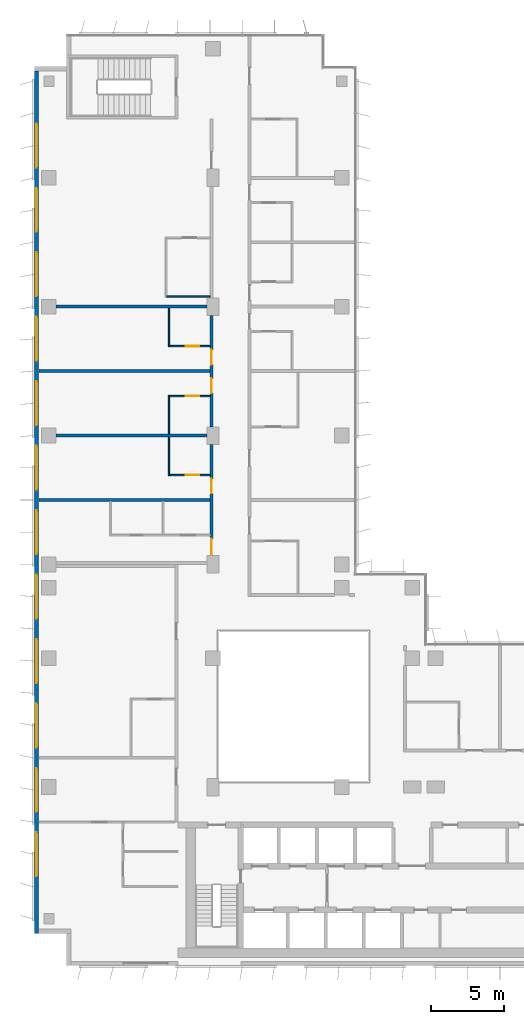
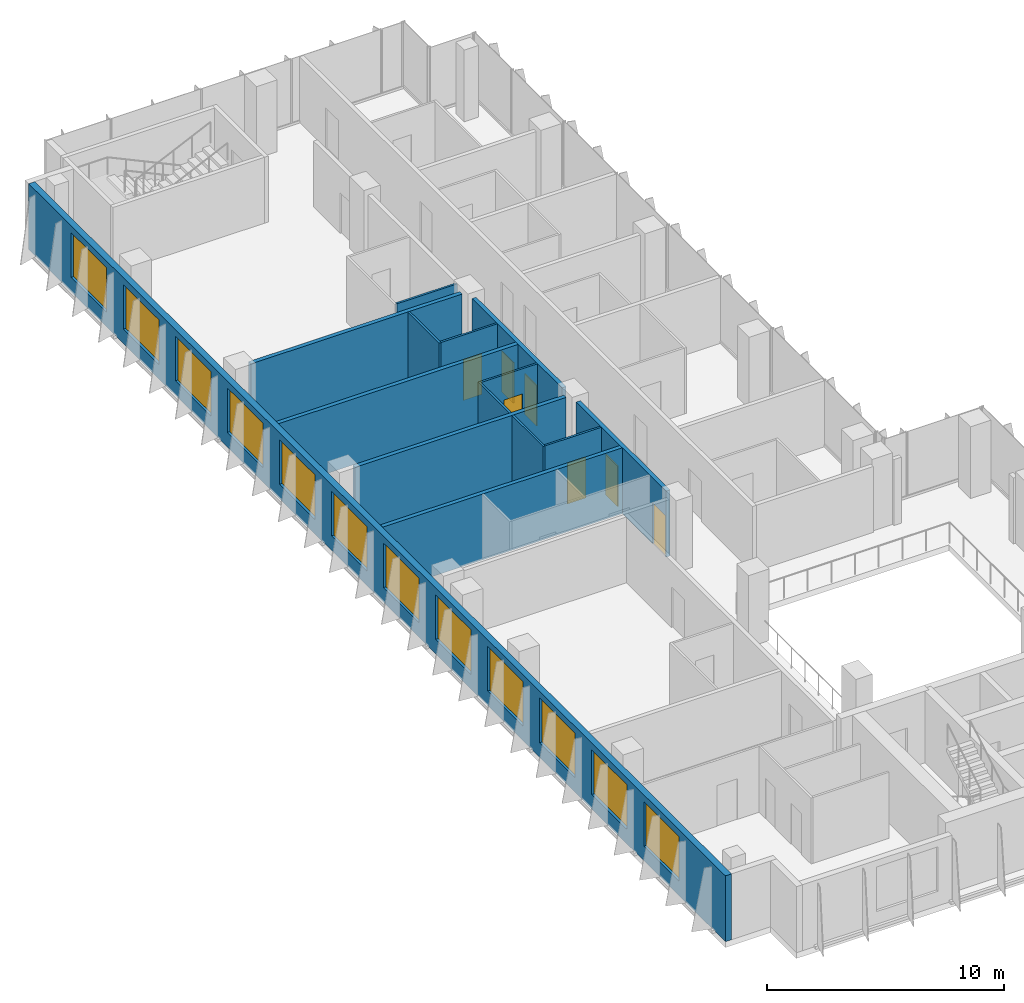
# One storey, part 16 of 21: 14 walls, 12 windows, 7 doors, 19 openings.
"""IFC4 building model written with IfcOpenShell, lengths in metres."""

from ifc_helpers import new_model, si_unit, direction, frame, frame_2d, origin, place, context, subcontext, project, spatial, rectangle, extrude, material, layer, layer_set, type_object, element, fill, save


model = new_model("IFC4")

# Units and contexts
model_context = context("Model", 3, precision=1e-05, world=origin(), true_north=direction((0.0, 1.0)))
body_context = subcontext(model_context, "Body", "Model", "MODEL_VIEW")
ifc_project = project(units=[si_unit("LENGTHUNIT", "METRE"), si_unit("AREAUNIT", "SQUARE_METRE"), si_unit("VOLUMEUNIT", "CUBIC_METRE"), si_unit("PLANEANGLEUNIT", "RADIAN"), si_unit("MASSUNIT", "GRAM", prefix="KILO")], contexts=[model_context])

# Site, building, storey
site_placement = place(None, origin())
site = spatial("IfcSite", under=ifc_project, at=site_placement, CompositionType="ELEMENT")
building_placement = place(site_placement, origin())
building = spatial("IfcBuilding", under=site, at=building_placement, Name="Kemantara Hotel Tower", CompositionType="ELEMENT")
storey_placement = place(building_placement, frame((0.0, 0.0, 160.5)))
storey = spatial("IfcBuildingStorey", under=building, at=storey_placement, Name="L39", CompositionType="ELEMENT", Elevation=160.5)

# Wall, openings, windows
ifc_material_1 = material(Name="Bronze anodised aluminium cladding on insulated steel stud wall", Category="steel")
ifc_layer_1 = layer(ifc_material_1, 0.300048828125)
ifc_layer_set_1 = layer_set([ifc_layer_1], Name="Bronze anodised aluminium cladding on insulated steel stud wall")
wall_type_1 = type_object("IfcWallType", Name="BRONZE METAL-CLAD EXTERNAL WALL 300", PredefinedType="STANDARD", material=ifc_layer_set_1)
wall_1_placement = place(storey_placement, frame((0.14990234375, 61.10009765625, 0.0), z_axis=(0.0, 0.0, 1.0), x_axis=(0.0, -1.0, 0.0)))
wall_1 = element("IfcWall", 1, at=wall_1_placement, inside=storey, type_object=wall_type_1, Name="EXTERNAL WALL L39 T3-R05", PredefinedType="STANDARD", context=body_context, shape_type="SweptSolid", body=[
    extrude(rectangle(XDim=58.900146484375, YDim=0.300048828125, at=frame_2d((29.4501953125, 0.0))), origin(), (0.0, 0.0, 1.0), 3.39990234375),
])
opening_1_placement = place(wall_1_placement, frame((3.60009765625, 0.0, 0.75)))
opening_1 = element("IfcOpeningElement", 2, at=opening_1_placement, cuts=wall_1, Name="Opening W1", PredefinedType="OPENING", context=body_context, shape_type="SweptSolid", body=[
    extrude(rectangle(XDim=3.0, YDim=2.300048828125, at=frame_2d((1.5, 1.14990234375))), frame((0.0, 0.159912109375, 0.0), z_axis=(0.0, -1.0, 0.0), x_axis=(1.0, 0.0, 0.0)), (0.0, 0.0, 1.0), 0.320068359375),
])
opening_2_placement = place(wall_1_placement, frame((8.0, 0.0, 0.75)))
opening_2 = element("IfcOpeningElement", 3, at=opening_2_placement, cuts=wall_1, Name="Opening W1", PredefinedType="OPENING", context=body_context, shape_type="SweptSolid", body=[
    extrude(rectangle(XDim=3.0, YDim=2.300048828125, at=frame_2d((1.5, 1.14990234375))), frame((0.0, 0.159912109375, 0.0), z_axis=(0.0, -1.0, 0.0), x_axis=(1.0, 0.0, 0.0)), (0.0, 0.0, 1.0), 0.320068359375),
])
opening_3_placement = place(wall_1_placement, frame((12.39990234375, 0.0, 0.75)))
opening_3 = element("IfcOpeningElement", 4, at=opening_3_placement, cuts=wall_1, Name="Opening W1", PredefinedType="OPENING", context=body_context, shape_type="SweptSolid", body=[
    extrude(rectangle(XDim=3.0, YDim=2.300048828125, at=frame_2d((1.5, 1.14990234375))), frame((0.0, 0.159912109375, 0.0), z_axis=(0.0, -1.0, 0.0), x_axis=(1.0, 0.0, 0.0)), (0.0, 0.0, 1.0), 0.320068359375),
])
opening_4_placement = place(wall_1_placement, frame((16.800048828125, 0.0, 0.75)))
opening_4 = element("IfcOpeningElement", 5, at=opening_4_placement, cuts=wall_1, Name="Opening W1", PredefinedType="OPENING", context=body_context, shape_type="SweptSolid", body=[
    extrude(rectangle(XDim=3.0, YDim=2.300048828125, at=frame_2d((1.5, 1.14990234375))), frame((0.0, 0.159912109375, 0.0), z_axis=(0.0, -1.0, 0.0), x_axis=(1.0, 0.0, 0.0)), (0.0, 0.0, 1.0), 0.320068359375),
])
opening_5_placement = place(wall_1_placement, frame((21.199951171875, 0.0, 0.75)))
opening_5 = element("IfcOpeningElement", 6, at=opening_5_placement, cuts=wall_1, Name="Opening W1", PredefinedType="OPENING", context=body_context, shape_type="SweptSolid", body=[
    extrude(rectangle(XDim=3.0, YDim=2.300048828125, at=frame_2d((1.5, 1.14990234375))), frame((0.0, 0.159912109375, 0.0), z_axis=(0.0, -1.0, 0.0), x_axis=(1.0, 0.0, 0.0)), (0.0, 0.0, 1.0), 0.320068359375),
])
opening_6_placement = place(wall_1_placement, frame((25.60009765625, 0.0, 0.75)))
opening_6 = element("IfcOpeningElement", 7, at=opening_6_placement, cuts=wall_1, Name="Opening W1", PredefinedType="OPENING", context=body_context, shape_type="SweptSolid", body=[
    extrude(rectangle(XDim=3.0, YDim=2.300048828125, at=frame_2d((1.5, 1.14990234375))), frame((0.0, 0.159912109375, 0.0), z_axis=(0.0, -1.0, 0.0), x_axis=(1.0, 0.0, 0.0)), (0.0, 0.0, 1.0), 0.320068359375),
])
opening_7_placement = place(wall_1_placement, frame((30.0, 0.0, 0.75)))
opening_7 = element("IfcOpeningElement", 8, at=opening_7_placement, cuts=wall_1, Name="Opening W1", PredefinedType="OPENING", context=body_context, shape_type="SweptSolid", body=[
    extrude(rectangle(XDim=3.0, YDim=2.300048828125, at=frame_2d((1.5, 1.14990234375))), frame((0.0, 0.159912109375, 0.0), z_axis=(0.0, -1.0, 0.0), x_axis=(1.0, 0.0, 0.0)), (0.0, 0.0, 1.0), 0.320068359375),
])
opening_8_placement = place(wall_1_placement, frame((34.39990234375, 0.0, 0.75)))
opening_8 = element("IfcOpeningElement", 9, at=opening_8_placement, cuts=wall_1, Name="Opening W1", PredefinedType="OPENING", context=body_context, shape_type="SweptSolid", body=[
    extrude(rectangle(XDim=3.0, YDim=2.300048828125, at=frame_2d((1.5, 1.14990234375))), frame((0.0, 0.159912109375, 0.0), z_axis=(0.0, -1.0, 0.0), x_axis=(1.0, 0.0, 0.0)), (0.0, 0.0, 1.0), 0.320068359375),
])
opening_9_placement = place(wall_1_placement, frame((38.800048828125, 0.0, 0.75)))
opening_9 = element("IfcOpeningElement", 10, at=opening_9_placement, cuts=wall_1, Name="Opening W1", PredefinedType="OPENING", context=body_context, shape_type="SweptSolid", body=[
    extrude(rectangle(XDim=3.0, YDim=2.300048828125, at=frame_2d((1.5, 1.14990234375))), frame((0.0, 0.159912109375, 0.0), z_axis=(0.0, -1.0, 0.0), x_axis=(1.0, 0.0, 0.0)), (0.0, 0.0, 1.0), 0.320068359375),
])
opening_10_placement = place(wall_1_placement, frame((43.199951171875, 0.0, 0.75)))
opening_10 = element("IfcOpeningElement", 11, at=opening_10_placement, cuts=wall_1, Name="Opening W1", PredefinedType="OPENING", context=body_context, shape_type="SweptSolid", body=[
    extrude(rectangle(XDim=3.0, YDim=2.300048828125, at=frame_2d((1.5, 1.14990234375))), frame((0.0, 0.159912109375, 0.0), z_axis=(0.0, -1.0, 0.0), x_axis=(1.0, 0.0, 0.0)), (0.0, 0.0, 1.0), 0.320068359375),
])
opening_11_placement = place(wall_1_placement, frame((47.60009765625, 0.0, 0.75)))
opening_11 = element("IfcOpeningElement", 12, at=opening_11_placement, cuts=wall_1, Name="Opening W1", PredefinedType="OPENING", context=body_context, shape_type="SweptSolid", body=[
    extrude(rectangle(XDim=3.0, YDim=2.300048828125, at=frame_2d((1.5, 1.14990234375))), frame((0.0, 0.159912109375, 0.0), z_axis=(0.0, -1.0, 0.0), x_axis=(1.0, 0.0, 0.0)), (0.0, 0.0, 1.0), 0.320068359375),
])
opening_12_placement = place(wall_1_placement, frame((52.0, 0.0, 0.75)))
opening_12 = element("IfcOpeningElement", 13, at=opening_12_placement, cuts=wall_1, Name="Opening W1", PredefinedType="OPENING", context=body_context, shape_type="SweptSolid", body=[
    extrude(rectangle(XDim=3.0, YDim=2.300048828125, at=frame_2d((1.5, 1.14990234375))), frame((0.0, 0.159912109375, 0.0), z_axis=(0.0, -1.0, 0.0), x_axis=(1.0, 0.0, 0.0)), (0.0, 0.0, 1.0), 0.320068359375),
])
ifc_material_2 = material(Name="Low-E tinted double insulated glass in bronze anodised aluminium frame", Category="aluminium")
window_type = type_object("IfcWindowType", Name="CHICAGO WINDOW, TRIPLE PANEL 3000x2300", PartitioningType="TRIPLE_PANEL_VERTICAL", PredefinedType="WINDOW", material=ifc_material_2)
window_1_placement = place(opening_1_placement, origin())
window_1 = element("IfcWindow", 14, at=window_1_placement, inside=storey, type_object=window_type, Name="CHICAGO WINDOW L39 T3-R05-54", OverallHeight=2.300048828125, OverallWidth=3.0, PartitioningType="SINGLE_PANEL", PredefinedType="WINDOW", context=body_context, shape_type="SweptSolid", body=[
    extrude(rectangle(XDim=3.0, YDim=2.300048828125, at=frame_2d((1.5, 1.14990234375))), frame((0.0, 0.030029296875, 0.0), z_axis=(0.0, -1.0, 0.0), x_axis=(1.0, 0.0, 0.0)), (0.0, 0.0, 1.0), 0.06005859375),
])
fill(opening_1, window_1)
window_2_placement = place(opening_2_placement, origin())
window_2 = element("IfcWindow", 15, at=window_2_placement, inside=storey, type_object=window_type, Name="CHICAGO WINDOW L39 T3-R05-98", OverallHeight=2.300048828125, OverallWidth=3.0, PartitioningType="SINGLE_PANEL", PredefinedType="WINDOW", context=body_context, shape_type="SweptSolid", body=[
    extrude(rectangle(XDim=3.0, YDim=2.300048828125, at=frame_2d((1.5, 1.14990234375))), frame((0.0, 0.030029296875, 0.0), z_axis=(0.0, -1.0, 0.0), x_axis=(1.0, 0.0, 0.0)), (0.0, 0.0, 1.0), 0.06005859375),
])
fill(opening_2, window_2)
window_3_placement = place(opening_3_placement, origin())
window_3 = element("IfcWindow", 16, at=window_3_placement, inside=storey, type_object=window_type, Name="CHICAGO WINDOW L39 T3-R05-142", OverallHeight=2.300048828125, OverallWidth=3.0, PartitioningType="SINGLE_PANEL", PredefinedType="WINDOW", context=body_context, shape_type="SweptSolid", body=[
    extrude(rectangle(XDim=3.0, YDim=2.300048828125, at=frame_2d((1.5, 1.14990234375))), frame((0.0, 0.030029296875, 0.0), z_axis=(0.0, -1.0, 0.0), x_axis=(1.0, 0.0, 0.0)), (0.0, 0.0, 1.0), 0.06005859375),
])
fill(opening_3, window_3)
window_4_placement = place(opening_4_placement, origin())
window_4 = element("IfcWindow", 17, at=window_4_placement, inside=storey, type_object=window_type, Name="CHICAGO WINDOW L39 T3-R05-186", OverallHeight=2.300048828125, OverallWidth=3.0, PartitioningType="SINGLE_PANEL", PredefinedType="WINDOW", context=body_context, shape_type="SweptSolid", body=[
    extrude(rectangle(XDim=3.0, YDim=2.300048828125, at=frame_2d((1.5, 1.14990234375))), frame((0.0, 0.030029296875, 0.0), z_axis=(0.0, -1.0, 0.0), x_axis=(1.0, 0.0, 0.0)), (0.0, 0.0, 1.0), 0.06005859375),
])
fill(opening_4, window_4)
window_5_placement = place(opening_5_placement, origin())
window_5 = element("IfcWindow", 18, at=window_5_placement, inside=storey, type_object=window_type, Name="CHICAGO WINDOW L39 T3-R05-230", OverallHeight=2.300048828125, OverallWidth=3.0, PartitioningType="SINGLE_PANEL", PredefinedType="WINDOW", context=body_context, shape_type="SweptSolid", body=[
    extrude(rectangle(XDim=3.0, YDim=2.300048828125, at=frame_2d((1.5, 1.14990234375))), frame((0.0, 0.030029296875, 0.0), z_axis=(0.0, -1.0, 0.0), x_axis=(1.0, 0.0, 0.0)), (0.0, 0.0, 1.0), 0.06005859375),
])
fill(opening_5, window_5)
window_6_placement = place(opening_6_placement, origin())
window_6 = element("IfcWindow", 19, at=window_6_placement, inside=storey, type_object=window_type, Name="CHICAGO WINDOW L39 T3-R05-274", OverallHeight=2.300048828125, OverallWidth=3.0, PartitioningType="SINGLE_PANEL", PredefinedType="WINDOW", context=body_context, shape_type="SweptSolid", body=[
    extrude(rectangle(XDim=3.0, YDim=2.300048828125, at=frame_2d((1.5, 1.14990234375))), frame((0.0, 0.030029296875, 0.0), z_axis=(0.0, -1.0, 0.0), x_axis=(1.0, 0.0, 0.0)), (0.0, 0.0, 1.0), 0.06005859375),
])
fill(opening_6, window_6)
window_7_placement = place(opening_7_placement, origin())
window_7 = element("IfcWindow", 20, at=window_7_placement, inside=storey, type_object=window_type, Name="CHICAGO WINDOW L39 T3-R05-318", OverallHeight=2.300048828125, OverallWidth=3.0, PartitioningType="SINGLE_PANEL", PredefinedType="WINDOW", context=body_context, shape_type="SweptSolid", body=[
    extrude(rectangle(XDim=3.0, YDim=2.300048828125, at=frame_2d((1.5, 1.14990234375))), frame((0.0, 0.030029296875, 0.0), z_axis=(0.0, -1.0, 0.0), x_axis=(1.0, 0.0, 0.0)), (0.0, 0.0, 1.0), 0.06005859375),
])
fill(opening_7, window_7)
window_8_placement = place(opening_8_placement, origin())
window_8 = element("IfcWindow", 21, at=window_8_placement, inside=storey, type_object=window_type, Name="CHICAGO WINDOW L39 T3-R05-362", OverallHeight=2.300048828125, OverallWidth=3.0, PartitioningType="SINGLE_PANEL", PredefinedType="WINDOW", context=body_context, shape_type="SweptSolid", body=[
    extrude(rectangle(XDim=3.0, YDim=2.300048828125, at=frame_2d((1.5, 1.14990234375))), frame((0.0, 0.030029296875, 0.0), z_axis=(0.0, -1.0, 0.0), x_axis=(1.0, 0.0, 0.0)), (0.0, 0.0, 1.0), 0.06005859375),
])
fill(opening_8, window_8)
window_9_placement = place(opening_9_placement, origin())
window_9 = element("IfcWindow", 22, at=window_9_placement, inside=storey, type_object=window_type, Name="CHICAGO WINDOW L39 T3-R05-406", OverallHeight=2.300048828125, OverallWidth=3.0, PartitioningType="SINGLE_PANEL", PredefinedType="WINDOW", context=body_context, shape_type="SweptSolid", body=[
    extrude(rectangle(XDim=3.0, YDim=2.300048828125, at=frame_2d((1.5, 1.14990234375))), frame((0.0, 0.030029296875, 0.0), z_axis=(0.0, -1.0, 0.0), x_axis=(1.0, 0.0, 0.0)), (0.0, 0.0, 1.0), 0.06005859375),
])
fill(opening_9, window_9)
window_10_placement = place(opening_10_placement, origin())
window_10 = element("IfcWindow", 23, at=window_10_placement, inside=storey, type_object=window_type, Name="CHICAGO WINDOW L39 T3-R05-450", OverallHeight=2.300048828125, OverallWidth=3.0, PartitioningType="SINGLE_PANEL", PredefinedType="WINDOW", context=body_context, shape_type="SweptSolid", body=[
    extrude(rectangle(XDim=3.0, YDim=2.300048828125, at=frame_2d((1.5, 1.14990234375))), frame((0.0, 0.030029296875, 0.0), z_axis=(0.0, -1.0, 0.0), x_axis=(1.0, 0.0, 0.0)), (0.0, 0.0, 1.0), 0.06005859375),
])
fill(opening_10, window_10)
window_11_placement = place(opening_11_placement, origin())
window_11 = element("IfcWindow", 24, at=window_11_placement, inside=storey, type_object=window_type, Name="CHICAGO WINDOW L39 T3-R05-494", OverallHeight=2.300048828125, OverallWidth=3.0, PartitioningType="SINGLE_PANEL", PredefinedType="WINDOW", context=body_context, shape_type="SweptSolid", body=[
    extrude(rectangle(XDim=3.0, YDim=2.300048828125, at=frame_2d((1.5, 1.14990234375))), frame((0.0, 0.030029296875, 0.0), z_axis=(0.0, -1.0, 0.0), x_axis=(1.0, 0.0, 0.0)), (0.0, 0.0, 1.0), 0.06005859375),
])
fill(opening_11, window_11)
window_12_placement = place(opening_12_placement, origin())
window_12 = element("IfcWindow", 25, at=window_12_placement, inside=storey, type_object=window_type, Name="CHICAGO WINDOW L39 T3-R05-538", OverallHeight=2.300048828125, OverallWidth=3.0, PartitioningType="SINGLE_PANEL", PredefinedType="WINDOW", context=body_context, shape_type="SweptSolid", body=[
    extrude(rectangle(XDim=3.0, YDim=2.300048828125, at=frame_2d((1.5, 1.14990234375))), frame((0.0, 0.030029296875, 0.0), z_axis=(0.0, -1.0, 0.0), x_axis=(1.0, 0.0, 0.0)), (0.0, 0.0, 1.0), 0.06005859375),
])
fill(opening_12, window_12)

# Wall, openings, doors
ifc_material_3 = material(Name="Gypsum board partition, steel studs and mineral wool, 200 mm", Category="steel")
ifc_layer_2 = layer(ifc_material_3, 0.199951171875)
ifc_layer_set_2 = layer_set([ifc_layer_2], Name="Gypsum board partition, steel studs and mineral wool, 200 mm")
wall_type_2 = type_object("IfcWallType", Name="CORRIDOR WALL 200", PredefinedType="PARTITIONING", material=ifc_layer_set_2)
wall_2_placement = place(storey_placement, frame((12.10009765625, 28.0, 0.0), z_axis=(0.0, 0.0, 1.0), x_axis=(0.0, 1.0, 0.0)))
wall_2 = element("IfcWall", 26, at=wall_2_placement, inside=storey, type_object=wall_type_2, Name="CORRIDOR WALL 200 015", PredefinedType="PARTITIONING", context=body_context, shape_type="SweptSolid", body=[
    extrude(rectangle(XDim=7.599853515625, YDim=0.199951171875, at=frame_2d((3.7998046875, 0.0))), origin(), (0.0, 0.0, 1.0), 3.39990234375),
])
opening_13_placement = place(wall_2_placement, frame((0.0498046875, 0.0, 0.0)))
opening_13 = element("IfcOpeningElement", 27, at=opening_13_placement, cuts=wall_2, Name="Opening F18-021", PredefinedType="OPENING", context=body_context, shape_type="SweptSolid", body=[
    extrude(rectangle(XDim=1.10009765625, YDim=2.10009765625, at=frame_2d((0.550048828125, 1.050048828125))), frame((0.0, 0.10986328125, 0.0), z_axis=(0.0, -1.0, 0.0), x_axis=(1.0, 0.0, 0.0)), (0.0, 0.0, 1.0), 0.219970703125),
])
opening_14_placement = place(wall_2_placement, frame((4.25, 0.0, 0.0)))
opening_14 = element("IfcOpeningElement", 28, at=opening_14_placement, cuts=wall_2, Name="Opening F18-024", PredefinedType="OPENING", context=body_context, shape_type="SweptSolid", body=[
    extrude(rectangle(XDim=1.0, YDim=2.10009765625, at=frame_2d((0.5, 1.050048828125))), frame((0.0, 0.10986328125, 0.0), z_axis=(0.0, -1.0, 0.0), x_axis=(1.0, 0.0, 0.0)), (0.0, 0.0, 1.0), 0.219970703125),
])
ifc_material_4 = material(Name="Hardwood veneer door leaf with steel frame", Category="steel")
door_type_1 = type_object("IfcDoorType", Name="GUEST ROOM DOOR 1000 X 2100 FD30S", OperationType="NOTDEFINED", PredefinedType="DOOR", material=ifc_material_4)
door_1_placement = place(opening_14_placement, origin())
door_1 = element("IfcDoor", 29, at=door_1_placement, inside=storey, type_object=door_type_1, Name="GUEST ROOM DOOR F18-024", OperationType="SINGLE_SWING_LEFT", OverallHeight=2.10009765625, OverallWidth=1.0, PredefinedType="DOOR", context=body_context, shape_type="SweptSolid", body=[
    extrude(rectangle(XDim=1.0, YDim=2.10009765625, at=frame_2d((0.5, 1.050048828125))), frame((0.0, 0.02490234375, 0.0), z_axis=(0.0, -1.0, 0.0), x_axis=(1.0, 0.0, 0.0)), (0.0, 0.0, 1.0), 0.050048828125),
])
fill(opening_14, door_1)
door_type_2 = type_object("IfcDoorType", Name="GUEST ROOM DOOR 1100 X 2100 FD30S", OperationType="NOTDEFINED", PredefinedType="DOOR", material=ifc_material_4)
door_2_placement = place(opening_13_placement, origin())
door_2 = element("IfcDoor", 30, at=door_2_placement, inside=storey, type_object=door_type_2, Name="GUEST ROOM DOOR F18-021", OperationType="SINGLE_SWING_LEFT", OverallHeight=2.10009765625, OverallWidth=1.10009765625, PredefinedType="DOOR", context=body_context, shape_type="SweptSolid", body=[
    extrude(rectangle(XDim=1.10009765625, YDim=2.10009765625, at=frame_2d((0.550048828125, 1.050048828125))), frame((0.0, 0.02490234375, 0.0), z_axis=(0.0, -1.0, 0.0), x_axis=(1.0, 0.0, 0.0)), (0.0, 0.0, 1.0), 0.050048828125),
])
fill(opening_13, door_2)

wall_3_placement = place(storey_placement, frame((12.10009765625, 36.800048828125, 0.0), z_axis=(0.0, 0.0, 1.0), x_axis=(0.0, 1.0, 0.0)))
wall_3 = element("IfcWall", 31, at=wall_3_placement, inside=storey, type_object=wall_type_2, Name="CORRIDOR WALL 200 016", PredefinedType="PARTITIONING", context=body_context, shape_type="SweptSolid", body=[
    extrude(rectangle(XDim=7.599853515625, YDim=0.199951171875, at=frame_2d((3.7998046875, 0.0))), origin(), (0.0, 0.0, 1.0), 3.39990234375),
])
opening_15_placement = place(wall_3_placement, frame((2.2998046875, 0.0, 0.0)))
opening_15 = element("IfcOpeningElement", 32, at=opening_15_placement, cuts=wall_3, Name="Opening F18-026", PredefinedType="OPENING", context=body_context, shape_type="SweptSolid", body=[
    extrude(rectangle(XDim=1.0, YDim=2.10009765625, at=frame_2d((0.5, 1.050048828125))), frame((0.0, 0.10986328125, 0.0), z_axis=(0.0, -1.0, 0.0), x_axis=(1.0, 0.0, 0.0)), (0.0, 0.0, 1.0), 0.219970703125),
])
opening_16_placement = place(wall_3_placement, frame((4.25, 0.0, 0.0)))
opening_16 = element("IfcOpeningElement", 33, at=opening_16_placement, cuts=wall_3, Name="Opening F18-028", PredefinedType="OPENING", context=body_context, shape_type="SweptSolid", body=[
    extrude(rectangle(XDim=1.0, YDim=2.10009765625, at=frame_2d((0.5, 1.050048828125))), frame((0.0, 0.10986328125, 0.0), z_axis=(0.0, -1.0, 0.0), x_axis=(1.0, 0.0, 0.0)), (0.0, 0.0, 1.0), 0.219970703125),
])
door_3_placement = place(opening_15_placement, origin())
door_3 = element("IfcDoor", 34, at=door_3_placement, inside=storey, type_object=door_type_1, Name="GUEST ROOM DOOR F18-026", OperationType="SINGLE_SWING_RIGHT", OverallHeight=2.10009765625, OverallWidth=1.0, PredefinedType="DOOR", context=body_context, shape_type="SweptSolid", body=[
    extrude(rectangle(XDim=1.0, YDim=2.10009765625, at=frame_2d((0.5, 1.050048828125))), frame((0.0, 0.02490234375, 0.0), z_axis=(0.0, -1.0, 0.0), x_axis=(1.0, 0.0, 0.0)), (0.0, 0.0, 1.0), 0.050048828125),
])
fill(opening_15, door_3)
door_4_placement = place(opening_16_placement, origin())
door_4 = element("IfcDoor", 35, at=door_4_placement, inside=storey, type_object=door_type_1, Name="GUEST ROOM DOOR F18-028", OperationType="SINGLE_SWING_LEFT", OverallHeight=2.10009765625, OverallWidth=1.0, PredefinedType="DOOR", context=body_context, shape_type="SweptSolid", body=[
    extrude(rectangle(XDim=1.0, YDim=2.10009765625, at=frame_2d((0.5, 1.050048828125))), frame((0.0, 0.02490234375, 0.0), z_axis=(0.0, -1.0, 0.0), x_axis=(1.0, 0.0, 0.0)), (0.0, 0.0, 1.0), 0.050048828125),
])
fill(opening_16, door_4)

# Walls
ifc_layer_3 = layer(ifc_material_3, 0.199951171875)
ifc_layer_set_3 = layer_set([ifc_layer_3], Name="Gypsum board partition, steel studs and mineral wool, 200 mm")
wall_type_3 = type_object("IfcWallType", Name="GUEST ROOM PARTY WALL 200", PredefinedType="PARTITIONING", material=ifc_layer_set_3)
wall_4_placement = place(storey_placement, frame((0.31005859375, 31.800048828125, 0.0), z_axis=(0.0, 0.0, 1.0), x_axis=(1.0, 0.0, 0.0)))
element("IfcWall", 36, at=wall_4_placement, inside=storey, type_object=wall_type_3, Name="GUEST ROOM PARTY WALL 200 020", PredefinedType="PARTITIONING", context=body_context, shape_type="SweptSolid", body=[
    extrude(rectangle(XDim=11.68994140625, YDim=0.199951171875, at=frame_2d((5.844970703125, 0.0))), origin(), (0.0, 0.0, 1.0), 3.39990234375),
])
wall_5_placement = place(storey_placement, frame((1.5, 36.199951171875, 0.0), z_axis=(0.0, 0.0, 1.0), x_axis=(1.0, 0.0, 0.0)))
element("IfcWall", 37, at=wall_5_placement, inside=storey, type_object=wall_type_3, Name="GUEST ROOM PARTY WALL 200 022", PredefinedType="PARTITIONING", context=body_context, shape_type="SweptSolid", body=[
    extrude(rectangle(XDim=10.2998046875, YDim=0.199951171875, at=frame_2d((5.14990234375, 0.0))), origin(), (0.0, 0.0, 1.0), 3.39990234375),
])
wall_6_placement = place(storey_placement, frame((0.31005859375, 40.60009765625, 0.0), z_axis=(0.0, 0.0, 1.0), x_axis=(1.0, 0.0, 0.0)))
element("IfcWall", 38, at=wall_6_placement, inside=storey, type_object=wall_type_3, Name="GUEST ROOM PARTY WALL 200 023", PredefinedType="PARTITIONING", context=body_context, shape_type="SweptSolid", body=[
    extrude(rectangle(XDim=11.68994140625, YDim=0.199951171875, at=frame_2d((5.844970703125, 0.0))), origin(), (0.0, 0.0, 1.0), 3.39990234375),
])
wall_7_placement = place(storey_placement, frame((1.5, 45.0, 0.0), z_axis=(0.0, 0.0, 1.0), x_axis=(1.0, 0.0, 0.0)))
element("IfcWall", 39, at=wall_7_placement, inside=storey, type_object=wall_type_3, Name="GUEST ROOM PARTY WALL 200 025", PredefinedType="PARTITIONING", context=body_context, shape_type="SweptSolid", body=[
    extrude(rectangle(XDim=10.2998046875, YDim=0.199951171875, at=frame_2d((5.14990234375, 0.0))), origin(), (0.0, 0.0, 1.0), 3.39990234375),
])
ifc_material_5 = material(Name="Gypsum board partition on steel studs, 100 mm", Category="steel")
ifc_layer_4 = layer(ifc_material_5, 0.10009765625)
ifc_layer_set_4 = layer_set([ifc_layer_4], Name="Gypsum board partition on steel studs, 100 mm")
wall_type_4 = type_object("IfcWallType", Name="ROOM PARTITION 100", PredefinedType="PARTITIONING", material=ifc_layer_set_4)
wall_8_placement = place(storey_placement, frame((9.199951171875, 33.449951171875, 0.0), z_axis=(0.0, 0.0, 1.0), x_axis=(0.0, 1.0, 0.0)))
element("IfcWall", 40, at=wall_8_placement, inside=storey, type_object=wall_type_4, Name="ROOM PARTITION 100 057", PredefinedType="PARTITIONING", context=body_context, shape_type="SweptSolid", body=[
    extrude(rectangle(XDim=2.650146484375, YDim=0.10009765625, at=frame_2d((1.3251953125, 0.0))), origin(), (0.0, 0.0, 1.0), 3.39990234375),
])
for number, where, z_axis, x_axis, name in (
    (41, (9.199951171875, 36.300048828125, 0.0), (0.0, 0.0, 1.0), (0.0, 1.0, 0.0), "ROOM PARTITION 100 058"),
    (42, (9.199951171875, 42.25, 0.0), (0.0, 0.0, 1.0), (0.0, 1.0, 0.0), "ROOM PARTITION 100 059"),
):
    element("IfcWall", number, at=place(storey_placement, frame(where, z_axis=z_axis, x_axis=x_axis)), inside=storey, type_object=wall_type_4, Name=name, PredefinedType="PARTITIONING", context=body_context, shape_type="SweptSolid", body=[
        extrude(rectangle(XDim=2.64990234375, YDim=0.10009765625, at=frame_2d((1.324951171875, 0.0))), origin(), (0.0, 0.0, 1.0), 3.39990234375),
    ])

# Wall, opening, door
wall_9_placement = place(storey_placement, frame((9.25, 33.5, 0.0), z_axis=(0.0, 0.0, 1.0), x_axis=(1.0, 0.0, 0.0)))
wall_9 = element("IfcWall", 43, at=wall_9_placement, inside=storey, type_object=wall_type_4, Name="ROOM PARTITION 100 060", PredefinedType="PARTITIONING", context=body_context, shape_type="SweptSolid", body=[
    extrude(rectangle(XDim=2.75, YDim=0.10009765625, at=frame_2d((1.375, 0.0))), origin(), (0.0, 0.0, 1.0), 3.39990234375),
])
opening_17_placement = place(wall_9_placement, frame((1.10009765625, 0.0, 0.0)))
opening_17 = element("IfcOpeningElement", 44, at=opening_17_placement, cuts=wall_9, Name="Opening F18-025", PredefinedType="OPENING", context=body_context, shape_type="SweptSolid", body=[
    extrude(rectangle(XDim=0.89990234375, YDim=2.10009765625, at=frame_2d((0.449951171875, 1.050048828125))), frame((0.0, 0.06005859375, 0.0), z_axis=(0.0, -1.0, 0.0), x_axis=(1.0, 0.0, 0.0)), (0.0, 0.0, 1.0), 0.1201171875),
])
door_type_3 = type_object("IfcDoorType", Name="BATHROOM DOOR 900 X 2100", OperationType="NOTDEFINED", PredefinedType="DOOR", material=ifc_material_4)
door_5_placement = place(opening_17_placement, origin())
door_5 = element("IfcDoor", 45, at=door_5_placement, inside=storey, type_object=door_type_3, Name="BATHROOM DOOR F18-025", OperationType="SINGLE_SWING_RIGHT", OverallHeight=2.10009765625, OverallWidth=0.89990234375, PredefinedType="DOOR", context=body_context, shape_type="SweptSolid", body=[
    extrude(rectangle(XDim=0.89990234375, YDim=2.10009765625, at=frame_2d((0.449951171875, 1.050048828125))), frame((0.0, 0.02490234375, 0.0), z_axis=(0.0, -1.0, 0.0), x_axis=(1.0, 0.0, 0.0)), (0.0, 0.0, 1.0), 0.050048828125),
])
fill(opening_17, door_5)

wall_10_placement = place(storey_placement, frame((12.0, 38.89990234375, 0.0), z_axis=(0.0, 0.0, 1.0), x_axis=(-1.0, 0.0, 0.0)))
wall_10 = element("IfcWall", 46, at=wall_10_placement, inside=storey, type_object=wall_type_4, Name="ROOM PARTITION 100 061", PredefinedType="PARTITIONING", context=body_context, shape_type="SweptSolid", body=[
    extrude(rectangle(XDim=2.75, YDim=0.10009765625, at=frame_2d((1.375, 0.0))), origin(), (0.0, 0.0, 1.0), 3.39990234375),
])
opening_18_placement = place(wall_10_placement, frame((0.75, 0.0, 0.0)))
opening_18 = element("IfcOpeningElement", 47, at=opening_18_placement, cuts=wall_10, Name="Opening F18-027", PredefinedType="OPENING", context=body_context, shape_type="SweptSolid", body=[
    extrude(rectangle(XDim=0.89990234375, YDim=2.10009765625, at=frame_2d((0.449951171875, 1.050048828125))), frame((0.0, 0.06005859375, 0.0), z_axis=(0.0, -1.0, 0.0), x_axis=(1.0, 0.0, 0.0)), (0.0, 0.0, 1.0), 0.1201171875),
])
door_6_placement = place(opening_18_placement, origin())
door_6 = element("IfcDoor", 48, at=door_6_placement, inside=storey, type_object=door_type_3, Name="BATHROOM DOOR F18-027", OperationType="SINGLE_SWING_LEFT", OverallHeight=2.10009765625, OverallWidth=0.89990234375, PredefinedType="DOOR", context=body_context, shape_type="SweptSolid", body=[
    extrude(rectangle(XDim=0.89990234375, YDim=2.10009765625, at=frame_2d((0.449951171875, 1.050048828125))), frame((0.0, 0.02490234375, 0.0), z_axis=(0.0, -1.0, 0.0), x_axis=(1.0, 0.0, 0.0)), (0.0, 0.0, 1.0), 0.050048828125),
])
fill(opening_18, door_6)

wall_11_placement = place(storey_placement, frame((9.25, 42.300048828125, 0.0), z_axis=(0.0, 0.0, 1.0), x_axis=(1.0, 0.0, 0.0)))
wall_11 = element("IfcWall", 49, at=wall_11_placement, inside=storey, type_object=wall_type_4, Name="ROOM PARTITION 100 062", PredefinedType="PARTITIONING", context=body_context, shape_type="SweptSolid", body=[
    extrude(rectangle(XDim=2.75, YDim=0.10009765625, at=frame_2d((1.375, 0.0))), origin(), (0.0, 0.0, 1.0), 3.39990234375),
])
opening_19_placement = place(wall_11_placement, frame((1.10009765625, 0.0, 0.0)))
opening_19 = element("IfcOpeningElement", 50, at=opening_19_placement, cuts=wall_11, Name="Opening F18-029", PredefinedType="OPENING", context=body_context, shape_type="SweptSolid", body=[
    extrude(rectangle(XDim=0.89990234375, YDim=2.10009765625, at=frame_2d((0.449951171875, 1.050048828125))), frame((0.0, 0.06005859375, 0.0), z_axis=(0.0, -1.0, 0.0), x_axis=(1.0, 0.0, 0.0)), (0.0, 0.0, 1.0), 0.1201171875),
])
door_7_placement = place(opening_19_placement, origin())
door_7 = element("IfcDoor", 51, at=door_7_placement, inside=storey, type_object=door_type_3, Name="BATHROOM DOOR F18-029", OperationType="SINGLE_SWING_RIGHT", OverallHeight=2.10009765625, OverallWidth=0.89990234375, PredefinedType="DOOR", context=body_context, shape_type="SweptSolid", body=[
    extrude(rectangle(XDim=0.89990234375, YDim=2.10009765625, at=frame_2d((0.449951171875, 1.050048828125))), frame((0.0, 0.02490234375, 0.0), z_axis=(0.0, -1.0, 0.0), x_axis=(1.0, 0.0, 0.0)), (0.0, 0.0, 1.0), 0.050048828125),
])
fill(opening_19, door_7)

# Wall
wall_12_placement = place(storey_placement, frame((9.050048828125, 45.699951171875, 0.0), z_axis=(0.0, 0.0, 1.0), x_axis=(1.0, 0.0, 0.0)))
element("IfcWall", 52, at=wall_12_placement, inside=storey, type_object=wall_type_4, Name="ROOM PARTITION 100 064", PredefinedType="PARTITIONING", context=body_context, shape_type="SweptSolid", body=[
    extrude(rectangle(XDim=2.949951171875, YDim=0.10009765625, at=frame_2d((1.47509765625, 0.0))), origin(), (0.0, 0.0, 1.0), 3.39990234375),
])

save(model, "model.ifc")
